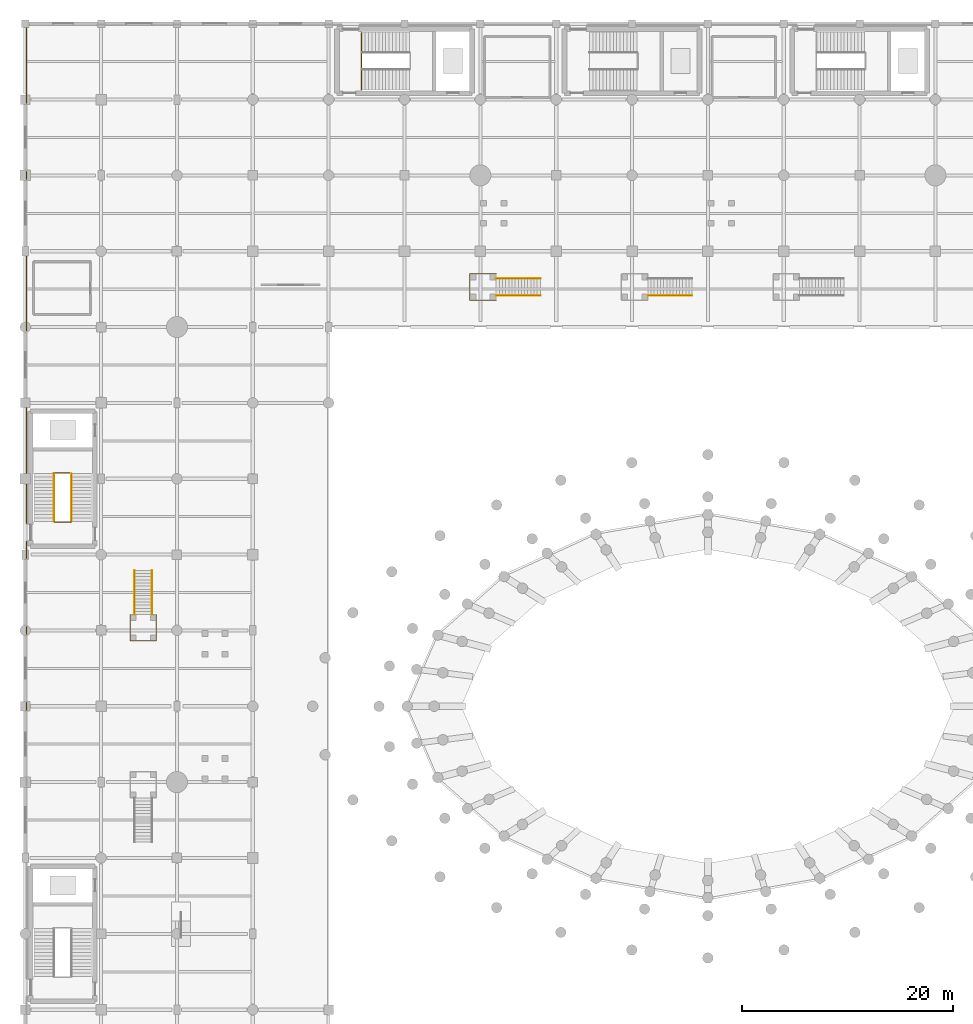
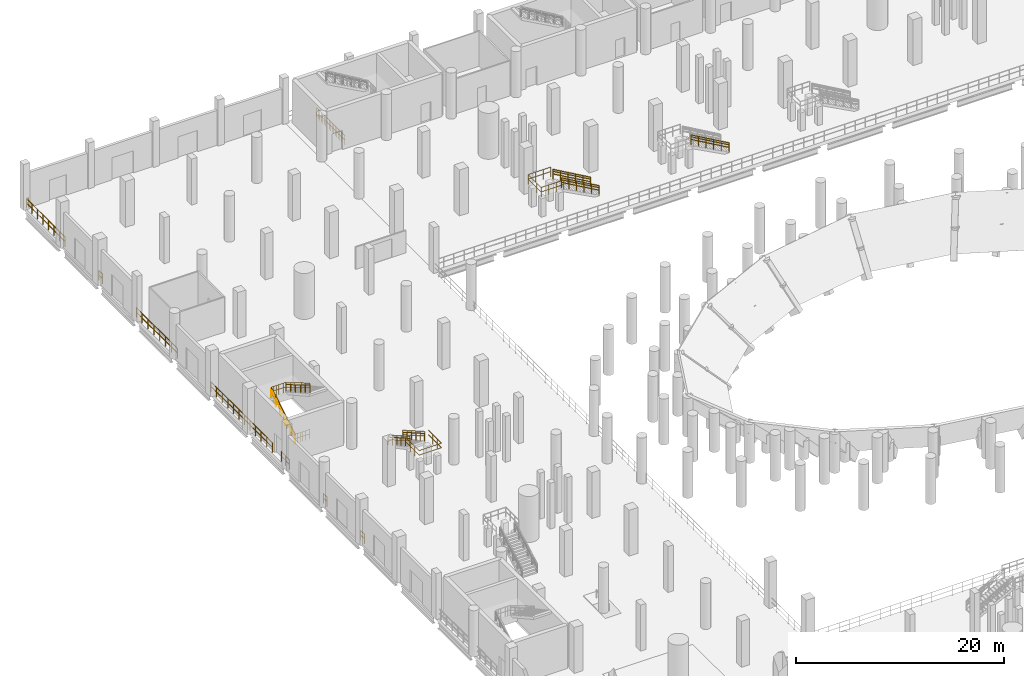
# One storey, part 49 of 58: 26 railings.
"""IFC4 building model written with IfcOpenShell, lengths in metres."""

from ifc_helpers import new_model, si_unit, direction, frame, origin, origin_2d, place, context, subcontext, project, spatial, circle, extrude, material, type_object, element, save


model = new_model("IFC4")

# Units and contexts
model_context = context("Model", 3, precision=1e-05, world=origin(), true_north=direction((0.0, 1.0)))
body_context = subcontext(model_context, "Body", "Model", "MODEL_VIEW")
ifc_project = project(units=[si_unit("LENGTHUNIT", "METRE"), si_unit("AREAUNIT", "SQUARE_METRE"), si_unit("VOLUMEUNIT", "CUBIC_METRE"), si_unit("PLANEANGLEUNIT", "RADIAN"), si_unit("MASSUNIT", "GRAM", prefix="KILO")], contexts=[model_context])

# Site, building, storey
site_placement = place(None, origin())
site = spatial("IfcSite", under=ifc_project, at=site_placement, CompositionType="ELEMENT")
building_placement = place(site_placement, origin())
building = spatial("IfcBuilding", under=site, at=building_placement, Name="Qandorah Velis Arena", CompositionType="ELEMENT")
storey_placement = place(building_placement, origin())
storey = spatial("IfcBuildingStorey", under=building, at=storey_placement, Name="L00", CompositionType="ELEMENT", Elevation=0.0)

# Railings
ifc_material = material(Name="Stainless steel 316", Category="steel")
railing_type_1 = type_object("IfcRailingType", Name="ARC-RL-GRD1150", PredefinedType="GUARDRAIL", material=ifc_material)
railing_1_placement = place(storey_placement, frame((31.909912109375, 123.360107421875, 0.0)))
element("IfcRailing", 1, at=railing_1_placement, inside=storey, type_object=railing_type_1, Name="Stair ST3 landing well-slot guardrail L00", PredefinedType="GUARDRAIL", context=body_context, shape_type="SweptSolid", body=[
    extrude(circle(Radius=0.02392578125, at=origin_2d()), frame((0.0, 0.0, 1.1259765625), z_axis=(0.0, 1.0, 0.0), x_axis=(-1.0, 0.0, 0.0)), (0.0, 0.0, 1.0), 5.3798828125),
    extrude(circle(Radius=0.02392578125, at=origin_2d()), frame((0.0, 0.0, 0.597900390625), z_axis=(0.0, 1.0, 0.0), x_axis=(-1.0, 0.0, 0.0)), (0.0, 0.0, 1.0), 5.3798828125),
    extrude(circle(Radius=0.02099609375, at=origin_2d()), origin(), (0.0, 0.0, 1.0), 1.101806640625),
    extrude(circle(Radius=0.02099609375, at=origin_2d()), frame((0.0, 0.298828125, 0.0)), (0.0, 0.0, 1.0), 1.101806640625),
    extrude(circle(Radius=0.02099609375, at=origin_2d()), frame((0.0, 0.59765625, 0.0)), (0.0, 0.0, 1.0), 1.101806640625),
    extrude(circle(Radius=0.02099609375, at=origin_2d()), frame((0.0, 0.896728515625, 0.0)), (0.0, 0.0, 1.0), 1.101806640625),
    extrude(circle(Radius=0.02099609375, at=origin_2d()), frame((0.0, 1.195556640625, 0.0)), (0.0, 0.0, 1.0), 1.101806640625),
    extrude(circle(Radius=0.02099609375, at=origin_2d()), frame((0.0, 1.494384765625, 0.0)), (0.0, 0.0, 1.0), 1.101806640625),
    extrude(circle(Radius=0.02099609375, at=origin_2d()), frame((0.0, 1.793212890625, 0.0)), (0.0, 0.0, 1.0), 1.101806640625),
    extrude(circle(Radius=0.02099609375, at=origin_2d()), frame((0.0, 2.09228515625, 0.0)), (0.0, 0.0, 1.0), 1.101806640625),
    extrude(circle(Radius=0.02099609375, at=origin_2d()), frame((0.0, 2.39111328125, 0.0)), (0.0, 0.0, 1.0), 1.101806640625),
    extrude(circle(Radius=0.02099609375, at=origin_2d()), frame((0.0, 2.68994140625, 0.0)), (0.0, 0.0, 1.0), 1.101806640625),
    extrude(circle(Radius=0.02099609375, at=origin_2d()), frame((0.0, 2.98876953125, 0.0)), (0.0, 0.0, 1.0), 1.101806640625),
    extrude(circle(Radius=0.02099609375, at=origin_2d()), frame((0.0, 3.28759765625, 0.0)), (0.0, 0.0, 1.0), 1.101806640625),
    extrude(circle(Radius=0.02099609375, at=origin_2d()), frame((0.0, 3.586669921875, 0.0)), (0.0, 0.0, 1.0), 1.101806640625),
    extrude(circle(Radius=0.02099609375, at=origin_2d()), frame((0.0, 3.885498046875, 0.0)), (0.0, 0.0, 1.0), 1.101806640625),
    extrude(circle(Radius=0.02099609375, at=origin_2d()), frame((0.0, 4.184326171875, 0.0)), (0.0, 0.0, 1.0), 1.101806640625),
    extrude(circle(Radius=0.02099609375, at=origin_2d()), frame((0.0, 4.483154296875, 0.0)), (0.0, 0.0, 1.0), 1.101806640625),
    extrude(circle(Radius=0.02099609375, at=origin_2d()), frame((0.0, 4.7822265625, 0.0)), (0.0, 0.0, 1.0), 1.101806640625),
    extrude(circle(Radius=0.02099609375, at=origin_2d()), frame((0.0, 5.0810546875, 0.0)), (0.0, 0.0, 1.0), 1.101806640625),
    extrude(circle(Radius=0.02099609375, at=origin_2d()), frame((0.0, 5.3798828125, 0.0)), (0.0, 0.0, 1.0), 1.101806640625),
])
for number, where, name in (
    (2, (2.739990234375, 82.31005859375, 0.0), "Stair ST6 landing well-slot guardrail L00"),
    (3, (2.739990234375, 86.946044921875, 2.699951171875), "Stair ST6 well guardrail (L00)"),
):
    element("IfcRailing", number, at=place(storey_placement, frame(where)), inside=storey, type_object=railing_type_1, Name=name, PredefinedType="GUARDRAIL", context=body_context, shape_type="SweptSolid", body=[
        extrude(circle(Radius=0.02392578125, at=origin_2d()), frame((0.0, 0.0, 1.1259765625), z_axis=(1.0, 0.0, 0.0), x_axis=(0.0, 1.0, 0.0)), (0.0, 0.0, 1.0), 1.6201171875),
        extrude(circle(Radius=0.02392578125, at=origin_2d()), frame((0.0, 0.0, 0.597900390625), z_axis=(1.0, 0.0, 0.0), x_axis=(0.0, 1.0, 0.0)), (0.0, 0.0, 1.0), 1.6201171875),
        extrude(circle(Radius=0.02099609375, at=origin_2d()), origin(), (0.0, 0.0, 1.0), 1.101806640625),
        extrude(circle(Radius=0.02099609375, at=origin_2d()), frame((0.27001953125, 0.0, 0.0)), (0.0, 0.0, 1.0), 1.101806640625),
        extrude(circle(Radius=0.02099609375, at=origin_2d()), frame((0.5400390625, 0.0, 0.0)), (0.0, 0.0, 1.0), 1.101806640625),
        extrude(circle(Radius=0.02099609375, at=origin_2d()), frame((0.81005859375, 0.0, 0.0)), (0.0, 0.0, 1.0), 1.101806640625),
        extrude(circle(Radius=0.02099609375, at=origin_2d()), frame((1.080078125, 0.0, 0.0)), (0.0, 0.0, 1.0), 1.101806640625),
        extrude(circle(Radius=0.02099609375, at=origin_2d()), frame((1.35009765625, 0.0, 0.0)), (0.0, 0.0, 1.0), 1.101806640625),
        extrude(circle(Radius=0.02099609375, at=origin_2d()), frame((1.6201171875, 0.0, 0.0)), (0.0, 0.0, 1.0), 1.101806640625),
    ])
railing_2_placement = place(storey_placement, frame((2.72998046875, 82.35009765625, 0.0)))
element("IfcRailing", 4, at=railing_2_placement, inside=storey, type_object=railing_type_1, Name="Stair ST6 inner flight 1 guardrail (L00)", PredefinedType="GUARDRAIL", context=body_context, shape_type="SweptSolid", body=[
    extrude(circle(Radius=0.02392578125, at=origin_2d()), frame((0.0, 0.0, 1.1259765625), z_axis=(0.0, 0.859291432417, 0.511486299107), x_axis=(-1.0, 0.0, 0.0)), (0.0, 0.0, 1.0), 5.278564453125),
    extrude(circle(Radius=0.02392578125, at=origin_2d()), frame((0.0, 0.0, 0.597900390625), z_axis=(0.0, 0.859291432417, 0.511486299107), x_axis=(-1.0, 0.0, 0.0)), (0.0, 0.0, 1.0), 5.278564453125),
    extrude(circle(Radius=0.02099609375, at=origin_2d()), origin(), (0.0, 0.0, 1.0), 1.101806640625),
    extrude(circle(Radius=0.02099609375, at=origin_2d()), frame((0.0, 0.755859375, 0.449951171875)), (0.0, 0.0, 1.0), 1.101806640625),
    extrude(circle(Radius=0.02099609375, at=origin_2d()), frame((0.0, 1.511962890625, 0.89990234375)), (0.0, 0.0, 1.0), 1.101806640625),
    extrude(circle(Radius=0.02099609375, at=origin_2d()), frame((0.0, 2.26806640625, 1.35009765625)), (0.0, 0.0, 1.0), 1.101806640625),
    extrude(circle(Radius=0.02099609375, at=origin_2d()), frame((0.0, 3.02392578125, 1.800048828125)), (0.0, 0.0, 1.0), 1.101806640625),
    extrude(circle(Radius=0.02099609375, at=origin_2d()), frame((0.0, 3.77978515625, 2.25)), (0.0, 0.0, 1.0), 1.101806640625),
    extrude(circle(Radius=0.02099609375, at=origin_2d()), frame((0.0, 4.535888671875, 2.699951171875)), (0.0, 0.0, 1.0), 1.101806640625),
])
railing_3_placement = place(storey_placement, frame((4.3701171875, 86.885986328125, 2.699951171875)))
element("IfcRailing", 5, at=railing_3_placement, inside=storey, type_object=railing_type_1, Name="Stair ST6 inner flight 2 guardrail (L00)", PredefinedType="GUARDRAIL", context=body_context, shape_type="SweptSolid", body=[
    extrude(circle(Radius=0.02392578125, at=origin_2d()), frame((0.0, 0.0, 1.1259765625), z_axis=(0.0, -0.859291432417, 0.511486299107), x_axis=(1.0, 0.0, 0.0)), (0.0, 0.0, 1.0), 5.278564453125),
    extrude(circle(Radius=0.02392578125, at=origin_2d()), frame((0.0, 0.0, 0.597900390625), z_axis=(0.0, -0.859291432417, 0.511486299107), x_axis=(1.0, 0.0, 0.0)), (0.0, 0.0, 1.0), 5.278564453125),
    extrude(circle(Radius=0.02099609375, at=origin_2d()), origin(), (0.0, 0.0, 1.0), 1.101806640625),
    extrude(circle(Radius=0.02099609375, at=origin_2d()), frame((0.0, -0.755859375, 0.449951171875)), (0.0, 0.0, 1.0), 1.101806640625),
    extrude(circle(Radius=0.02099609375, at=origin_2d()), frame((0.0, -1.511962890625, 0.89990234375)), (0.0, 0.0, 1.0), 1.101806640625),
    extrude(circle(Radius=0.02099609375, at=origin_2d()), frame((0.0, -2.26806640625, 1.35009765625)), (0.0, 0.0, 1.0), 1.101806640625),
    extrude(circle(Radius=0.02099609375, at=origin_2d()), frame((0.0, -3.02392578125, 1.800048828125)), (0.0, 0.0, 1.0), 1.101806640625),
    extrude(circle(Radius=0.02099609375, at=origin_2d()), frame((0.0, -3.77978515625, 2.25)), (0.0, 0.0, 1.0), 1.101806640625),
    extrude(circle(Radius=0.02099609375, at=origin_2d()), frame((0.0, -4.535888671875, 2.699951171875)), (0.0, 0.0, 1.0), 1.101806640625),
])
for number, where, name in (
    (6, (48.89990234375, 103.780029296875, 0.0), "Vomitory VS4 left guard (L00)"),
    (7, (48.89990234375, 105.419921875, 0.0), "Vomitory VS4 right guard (L00)"),
):
    element("IfcRailing", number, at=place(storey_placement, frame(where)), inside=storey, type_object=railing_type_1, Name=name, PredefinedType="GUARDRAIL", context=body_context, shape_type="SweptSolid", body=[
        extrude(circle(Radius=0.02392578125, at=origin_2d()), frame((0.0, 0.0, 1.1259765625), z_axis=(-0.868249353848, 0.0, 0.496128067682), x_axis=(0.0, -1.0, 0.0)), (0.0, 0.0, 1.0), 4.837158203125),
        extrude(circle(Radius=0.02392578125, at=origin_2d()), frame((0.0, 0.0, 0.597900390625), z_axis=(-0.868249353848, 0.0, 0.496128067682), x_axis=(0.0, -1.0, 0.0)), (0.0, 0.0, 1.0), 4.837158203125),
        extrude(circle(Radius=0.02099609375, at=origin_2d()), origin(), (0.0, 0.0, 1.0), 1.101806640625),
        extrude(circle(Radius=0.02099609375, at=origin_2d()), frame((-0.840087890625, 0.0, 0.47998046875)), (0.0, 0.0, 1.0), 1.101806640625),
        extrude(circle(Radius=0.02099609375, at=origin_2d()), frame((-1.679931640625, 0.0, 0.9599609375)), (0.0, 0.0, 1.0), 1.101806640625),
        extrude(circle(Radius=0.02099609375, at=origin_2d()), frame((-2.52001953125, 0.0, 1.43994140625)), (0.0, 0.0, 1.0), 1.101806640625),
        extrude(circle(Radius=0.02099609375, at=origin_2d()), frame((-3.35986328125, 0.0, 1.919921875)), (0.0, 0.0, 1.0), 1.101806640625),
        extrude(circle(Radius=0.02099609375, at=origin_2d()), frame((-4.199951171875, 0.0, 2.39990234375)), (0.0, 0.0, 1.0), 1.101806640625),
    ])
railing_4_placement = place(storey_placement, frame((44.699951171875, 105.85009765625, 2.39990234375)))
element("IfcRailing", 8, at=railing_4_placement, inside=storey, type_object=railing_type_1, Name="Vomitory VS4 landing guardrail (L00)", PredefinedType="GUARDRAIL", context=body_context, shape_type="SweptSolid", body=[
    extrude(circle(Radius=0.02392578125, at=origin_2d()), frame((0.0, 0.0, 1.1259765625), z_axis=(-1.0, 0.0, 0.0), x_axis=(0.0, -1.0, 0.0)), (0.0, 0.0, 1.0), 2.5),
    extrude(circle(Radius=0.02392578125, at=origin_2d()), frame((0.0, 0.0, 0.597900390625), z_axis=(-1.0, 0.0, 0.0), x_axis=(0.0, -1.0, 0.0)), (0.0, 0.0, 1.0), 2.5),
    extrude(circle(Radius=0.02392578125, at=origin_2d()), frame((-2.5, 0.0, 1.1259765625), z_axis=(0.0, -1.0, 0.0), x_axis=(1.0, 0.0, 0.0)), (0.0, 0.0, 1.0), 2.5),
    extrude(circle(Radius=0.02392578125, at=origin_2d()), frame((-2.5, 0.0, 0.597900390625), z_axis=(0.0, -1.0, 0.0), x_axis=(1.0, 0.0, 0.0)), (0.0, 0.0, 1.0), 2.5),
    extrude(circle(Radius=0.02392578125, at=origin_2d()), frame((-2.5, -2.5, 1.1259765625), z_axis=(1.0, 0.0, 0.0), x_axis=(0.0, 1.0, 0.0)), (0.0, 0.0, 1.0), 2.5),
    extrude(circle(Radius=0.02392578125, at=origin_2d()), frame((-2.5, -2.5, 0.597900390625), z_axis=(1.0, 0.0, 0.0), x_axis=(0.0, 1.0, 0.0)), (0.0, 0.0, 1.0), 2.5),
    extrude(circle(Radius=0.02099609375, at=origin_2d()), origin(), (0.0, 0.0, 1.0), 1.101806640625),
    extrude(circle(Radius=0.02099609375, at=origin_2d()), frame((-0.833251953125, 0.0, 0.0)), (0.0, 0.0, 1.0), 1.101806640625),
    extrude(circle(Radius=0.02099609375, at=origin_2d()), frame((-1.666748046875, 0.0, 0.0)), (0.0, 0.0, 1.0), 1.101806640625),
    extrude(circle(Radius=0.02099609375, at=origin_2d()), frame((-2.5, 0.0, 0.0)), (0.0, 0.0, 1.0), 1.101806640625),
    extrude(circle(Radius=0.02099609375, at=origin_2d()), frame((-2.5, -0.833251953125, 0.0)), (0.0, 0.0, 1.0), 1.101806640625),
    extrude(circle(Radius=0.02099609375, at=origin_2d()), frame((-2.5, -1.666748046875, 0.0)), (0.0, 0.0, 1.0), 1.101806640625),
    extrude(circle(Radius=0.02099609375, at=origin_2d()), frame((-2.5, -2.5, 0.0)), (0.0, 0.0, 1.0), 1.101806640625),
    extrude(circle(Radius=0.02099609375, at=origin_2d()), frame((-1.666748046875, -2.5, 0.0)), (0.0, 0.0, 1.0), 1.101806640625),
    extrude(circle(Radius=0.02099609375, at=origin_2d()), frame((-0.833251953125, -2.5, 0.0)), (0.0, 0.0, 1.0), 1.101806640625),
    extrude(circle(Radius=0.02099609375, at=origin_2d()), frame((0.0, -2.5, 0.0)), (0.0, 0.0, 1.0), 1.101806640625),
])
railing_5_placement = place(storey_placement, frame((63.300048828125, 103.780029296875, 0.0)))
element("IfcRailing", 9, at=railing_5_placement, inside=storey, type_object=railing_type_1, Name="Vomitory VS5 left guard (L00)", PredefinedType="GUARDRAIL", context=body_context, shape_type="SweptSolid", body=[
    extrude(circle(Radius=0.02392578125, at=origin_2d()), frame((0.0, 0.0, 1.1259765625), z_axis=(-0.868249353848, 0.0, 0.496128067682), x_axis=(0.0, -1.0, 0.0)), (0.0, 0.0, 1.0), 4.837158203125),
    extrude(circle(Radius=0.02392578125, at=origin_2d()), frame((0.0, 0.0, 0.597900390625), z_axis=(-0.868249353848, 0.0, 0.496128067682), x_axis=(0.0, -1.0, 0.0)), (0.0, 0.0, 1.0), 4.837158203125),
    extrude(circle(Radius=0.02099609375, at=origin_2d()), origin(), (0.0, 0.0, 1.0), 1.101806640625),
    extrude(circle(Radius=0.02099609375, at=origin_2d()), frame((-0.840087890625, 0.0, 0.47998046875)), (0.0, 0.0, 1.0), 1.101806640625),
    extrude(circle(Radius=0.02099609375, at=origin_2d()), frame((-1.679931640625, 0.0, 0.9599609375)), (0.0, 0.0, 1.0), 1.101806640625),
    extrude(circle(Radius=0.02099609375, at=origin_2d()), frame((-2.52001953125, 0.0, 1.43994140625)), (0.0, 0.0, 1.0), 1.101806640625),
    extrude(circle(Radius=0.02099609375, at=origin_2d()), frame((-3.35986328125, 0.0, 1.919921875)), (0.0, 0.0, 1.0), 1.101806640625),
    extrude(circle(Radius=0.02099609375, at=origin_2d()), frame((-4.199951171875, 0.0, 2.39990234375)), (0.0, 0.0, 1.0), 1.101806640625),
])
for number, where, name in (
    (10, (12.02001953125, 77.699951171875, 0.0), "Vomitory VS8 left guard (L00)"),
    (11, (10.3798828125, 77.699951171875, 0.0), "Vomitory VS8 right guard (L00)"),
):
    element("IfcRailing", number, at=place(storey_placement, frame(where)), inside=storey, type_object=railing_type_1, Name=name, PredefinedType="GUARDRAIL", context=body_context, shape_type="SweptSolid", body=[
        extrude(circle(Radius=0.02392578125, at=origin_2d()), frame((0.0, 0.0, 1.1259765625), z_axis=(0.0, -0.868249353848, 0.496128067682), x_axis=(1.0, 0.0, 0.0)), (0.0, 0.0, 1.0), 4.837158203125),
        extrude(circle(Radius=0.02392578125, at=origin_2d()), frame((0.0, 0.0, 0.597900390625), z_axis=(0.0, -0.868249353848, 0.496128067682), x_axis=(1.0, 0.0, 0.0)), (0.0, 0.0, 1.0), 4.837158203125),
        extrude(circle(Radius=0.02099609375, at=origin_2d()), origin(), (0.0, 0.0, 1.0), 1.101806640625),
        extrude(circle(Radius=0.02099609375, at=origin_2d()), frame((0.0, -0.840087890625, 0.47998046875)), (0.0, 0.0, 1.0), 1.101806640625),
        extrude(circle(Radius=0.02099609375, at=origin_2d()), frame((0.0, -1.679931640625, 0.9599609375)), (0.0, 0.0, 1.0), 1.101806640625),
        extrude(circle(Radius=0.02099609375, at=origin_2d()), frame((0.0, -2.52001953125, 1.43994140625)), (0.0, 0.0, 1.0), 1.101806640625),
        extrude(circle(Radius=0.02099609375, at=origin_2d()), frame((0.0, -3.35986328125, 1.919921875)), (0.0, 0.0, 1.0), 1.101806640625),
        extrude(circle(Radius=0.02099609375, at=origin_2d()), frame((0.0, -4.199951171875, 2.39990234375)), (0.0, 0.0, 1.0), 1.101806640625),
    ])
railing_6_placement = place(storey_placement, frame((12.449951171875, 73.5, 2.39990234375)))
element("IfcRailing", 12, at=railing_6_placement, inside=storey, type_object=railing_type_1, Name="Vomitory VS8 landing guardrail (L00)", PredefinedType="GUARDRAIL", context=body_context, shape_type="SweptSolid", body=[
    extrude(circle(Radius=0.02392578125, at=origin_2d()), frame((0.0, 0.0, 1.1259765625), z_axis=(0.0, -1.0, 0.0), x_axis=(1.0, 0.0, 0.0)), (0.0, 0.0, 1.0), 2.5),
    extrude(circle(Radius=0.02392578125, at=origin_2d()), frame((0.0, 0.0, 0.597900390625), z_axis=(0.0, -1.0, 0.0), x_axis=(1.0, 0.0, 0.0)), (0.0, 0.0, 1.0), 2.5),
    extrude(circle(Radius=0.02392578125, at=origin_2d()), frame((0.0, -2.5, 1.1259765625), z_axis=(-1.0, 0.0, 0.0), x_axis=(0.0, -1.0, 0.0)), (0.0, 0.0, 1.0), 2.5),
    extrude(circle(Radius=0.02392578125, at=origin_2d()), frame((0.0, -2.5, 0.597900390625), z_axis=(-1.0, 0.0, 0.0), x_axis=(0.0, -1.0, 0.0)), (0.0, 0.0, 1.0), 2.5),
    extrude(circle(Radius=0.02392578125, at=origin_2d()), frame((-2.5, -2.5, 1.1259765625), z_axis=(0.0, 1.0, 0.0), x_axis=(-1.0, 0.0, 0.0)), (0.0, 0.0, 1.0), 2.5),
    extrude(circle(Radius=0.02392578125, at=origin_2d()), frame((-2.5, -2.5, 0.597900390625), z_axis=(0.0, 1.0, 0.0), x_axis=(-1.0, 0.0, 0.0)), (0.0, 0.0, 1.0), 2.5),
    extrude(circle(Radius=0.02099609375, at=origin_2d()), origin(), (0.0, 0.0, 1.0), 1.101806640625),
    extrude(circle(Radius=0.02099609375, at=origin_2d()), frame((0.0, -0.833251953125, 0.0)), (0.0, 0.0, 1.0), 1.101806640625),
    extrude(circle(Radius=0.02099609375, at=origin_2d()), frame((0.0, -1.666748046875, 0.0)), (0.0, 0.0, 1.0), 1.101806640625),
    extrude(circle(Radius=0.02099609375, at=origin_2d()), frame((0.0, -2.5, 0.0)), (0.0, 0.0, 1.0), 1.101806640625),
    extrude(circle(Radius=0.02099609375, at=origin_2d()), frame((-0.833251953125, -2.5, 0.0)), (0.0, 0.0, 1.0), 1.101806640625),
    extrude(circle(Radius=0.02099609375, at=origin_2d()), frame((-1.666748046875, -2.5, 0.0)), (0.0, 0.0, 1.0), 1.101806640625),
    extrude(circle(Radius=0.02099609375, at=origin_2d()), frame((-2.5, -2.5, 0.0)), (0.0, 0.0, 1.0), 1.101806640625),
    extrude(circle(Radius=0.02099609375, at=origin_2d()), frame((-2.5, -1.666748046875, 0.0)), (0.0, 0.0, 1.0), 1.101806640625),
    extrude(circle(Radius=0.02099609375, at=origin_2d()), frame((-2.5, -0.833251953125, 0.0)), (0.0, 0.0, 1.0), 1.101806640625),
    extrude(circle(Radius=0.02099609375, at=origin_2d()), frame((-2.5, 0.0, 0.0)), (0.0, 0.0, 1.0), 1.101806640625),
])
railing_7_placement = place(storey_placement, frame((0.10009765625, 64.449951171875, 0.0)))
element("IfcRailing", 13, at=railing_7_placement, inside=storey, type_object=railing_type_1, Name="Slab edge safety guardrail L00-033", PredefinedType="GUARDRAIL", context=body_context, shape_type="SweptSolid", body=[
    extrude(circle(Radius=0.02392578125, at=origin_2d()), frame((0.0, 0.0, 1.1259765625), z_axis=(0.0, 1.0, 0.0), x_axis=(-1.0, 0.0, 0.0)), (0.0, 0.0, 1.0), 0.699951171875),
    extrude(circle(Radius=0.02392578125, at=origin_2d()), frame((0.0, 0.0, 0.597900390625), z_axis=(0.0, 1.0, 0.0), x_axis=(-1.0, 0.0, 0.0)), (0.0, 0.0, 1.0), 0.699951171875),
    extrude(circle(Radius=0.02099609375, at=origin_2d()), origin(), (0.0, 0.0, 1.0), 1.101806640625),
    extrude(circle(Radius=0.02099609375, at=origin_2d()), frame((0.0, 0.699951171875, 0.0)), (0.0, 0.0, 1.0), 1.101806640625),
])
railing_8_placement = place(storey_placement, frame((0.10009765625, 71.64990234375, 0.0)))
element("IfcRailing", 14, at=railing_8_placement, inside=storey, type_object=railing_type_1, Name="Slab edge safety guardrail L00-034", PredefinedType="GUARDRAIL", context=body_context, shape_type="SweptSolid", body=[
    extrude(circle(Radius=0.02392578125, at=origin_2d()), frame((0.0, 0.0, 1.1259765625), z_axis=(0.0, 1.0, 0.0), x_axis=(-1.0, 0.0, 0.0)), (0.0, 0.0, 1.0), 0.7001953125),
    extrude(circle(Radius=0.02392578125, at=origin_2d()), frame((0.0, 0.0, 0.597900390625), z_axis=(0.0, 1.0, 0.0), x_axis=(-1.0, 0.0, 0.0)), (0.0, 0.0, 1.0), 0.7001953125),
    extrude(circle(Radius=0.02099609375, at=origin_2d()), origin(), (0.0, 0.0, 1.0), 1.101806640625),
    extrude(circle(Radius=0.02099609375, at=origin_2d()), frame((0.0, 0.7001953125, 0.0)), (0.0, 0.0, 1.0), 1.101806640625),
])
railing_9_placement = place(storey_placement, frame((0.10009765625, 78.85009765625, 0.0)))
element("IfcRailing", 15, at=railing_9_placement, inside=storey, type_object=railing_type_1, Name="Slab edge safety guardrail L00-035", PredefinedType="GUARDRAIL", context=body_context, shape_type="SweptSolid", body=[
    extrude(circle(Radius=0.02392578125, at=origin_2d()), frame((0.0, 0.0, 1.1259765625), z_axis=(0.0, 1.0, 0.0), x_axis=(-1.0, 0.0, 0.0)), (0.0, 0.0, 1.0), 1.579833984375),
    extrude(circle(Radius=0.02392578125, at=origin_2d()), frame((0.0, 0.0, 0.597900390625), z_axis=(0.0, 1.0, 0.0), x_axis=(-1.0, 0.0, 0.0)), (0.0, 0.0, 1.0), 1.579833984375),
    extrude(circle(Radius=0.02099609375, at=origin_2d()), origin(), (0.0, 0.0, 1.0), 1.101806640625),
    extrude(circle(Radius=0.02099609375, at=origin_2d()), frame((0.0, 0.7900390625, 0.0)), (0.0, 0.0, 1.0), 1.101806640625),
    extrude(circle(Radius=0.02099609375, at=origin_2d()), frame((0.0, 1.579833984375, 0.0)), (0.0, 0.0, 1.0), 1.101806640625),
])
railing_10_placement = place(storey_placement, frame((0.10009765625, 82.169921875, 0.0)))
element("IfcRailing", 16, at=railing_10_placement, inside=storey, type_object=railing_type_1, Name="Slab edge safety guardrail L00-036", PredefinedType="GUARDRAIL", context=body_context, shape_type="SweptSolid", body=[
    extrude(circle(Radius=0.02392578125, at=origin_2d()), frame((0.0, 0.0, 1.1259765625), z_axis=(0.0, 1.0, 0.0), x_axis=(-1.0, 0.0, 0.0)), (0.0, 0.0, 1.0), 11.780029296875),
    extrude(circle(Radius=0.02392578125, at=origin_2d()), frame((0.0, 0.0, 0.597900390625), z_axis=(0.0, 1.0, 0.0), x_axis=(-1.0, 0.0, 0.0)), (0.0, 0.0, 1.0), 11.780029296875),
    extrude(circle(Radius=0.02099609375, at=origin_2d()), origin(), (0.0, 0.0, 1.0), 1.101806640625),
    extrude(circle(Radius=0.02099609375, at=origin_2d()), frame((0.0, 1.07080078125, 0.0)), (0.0, 0.0, 1.0), 1.101806640625),
    extrude(circle(Radius=0.02099609375, at=origin_2d()), frame((0.0, 2.141845703125, 0.0)), (0.0, 0.0, 1.0), 1.101806640625),
    extrude(circle(Radius=0.02099609375, at=origin_2d()), frame((0.0, 3.212646484375, 0.0)), (0.0, 0.0, 1.0), 1.101806640625),
    extrude(circle(Radius=0.02099609375, at=origin_2d()), frame((0.0, 4.28369140625, 0.0)), (0.0, 0.0, 1.0), 1.101806640625),
    extrude(circle(Radius=0.02099609375, at=origin_2d()), frame((0.0, 5.3544921875, 0.0)), (0.0, 0.0, 1.0), 1.101806640625),
    extrude(circle(Radius=0.02099609375, at=origin_2d()), frame((0.0, 6.425537109375, 0.0)), (0.0, 0.0, 1.0), 1.101806640625),
    extrude(circle(Radius=0.02099609375, at=origin_2d()), frame((0.0, 7.496337890625, 0.0)), (0.0, 0.0, 1.0), 1.101806640625),
    extrude(circle(Radius=0.02099609375, at=origin_2d()), frame((0.0, 8.5673828125, 0.0)), (0.0, 0.0, 1.0), 1.101806640625),
    extrude(circle(Radius=0.02099609375, at=origin_2d()), frame((0.0, 9.63818359375, 0.0)), (0.0, 0.0, 1.0), 1.101806640625),
    extrude(circle(Radius=0.02099609375, at=origin_2d()), frame((0.0, 10.709228515625, 0.0)), (0.0, 0.0, 1.0), 1.101806640625),
    extrude(circle(Radius=0.02099609375, at=origin_2d()), frame((0.0, 11.780029296875, 0.0)), (0.0, 0.0, 1.0), 1.101806640625),
])
railing_11_placement = place(storey_placement, frame((0.10009765625, 100.449951171875, 0.0)))
element("IfcRailing", 17, at=railing_11_placement, inside=storey, type_object=railing_type_1, Name="Slab edge safety guardrail L00-037", PredefinedType="GUARDRAIL", context=body_context, shape_type="SweptSolid", body=[
    extrude(circle(Radius=0.02392578125, at=origin_2d()), frame((0.0, 0.0, 1.1259765625), z_axis=(0.0, 1.0, 0.0), x_axis=(-1.0, 0.0, 0.0)), (0.0, 0.0, 1.0), 7.900146484375),
    extrude(circle(Radius=0.02392578125, at=origin_2d()), frame((0.0, 0.0, 0.597900390625), z_axis=(0.0, 1.0, 0.0), x_axis=(-1.0, 0.0, 0.0)), (0.0, 0.0, 1.0), 7.900146484375),
    extrude(circle(Radius=0.02099609375, at=origin_2d()), origin(), (0.0, 0.0, 1.0), 1.101806640625),
    extrude(circle(Radius=0.02099609375, at=origin_2d()), frame((0.0, 1.128662109375, 0.0)), (0.0, 0.0, 1.0), 1.101806640625),
    extrude(circle(Radius=0.02099609375, at=origin_2d()), frame((0.0, 2.257080078125, 0.0)), (0.0, 0.0, 1.0), 1.101806640625),
    extrude(circle(Radius=0.02099609375, at=origin_2d()), frame((0.0, 3.3857421875, 0.0)), (0.0, 0.0, 1.0), 1.101806640625),
    extrude(circle(Radius=0.02099609375, at=origin_2d()), frame((0.0, 4.514404296875, 0.0)), (0.0, 0.0, 1.0), 1.101806640625),
    extrude(circle(Radius=0.02099609375, at=origin_2d()), frame((0.0, 5.64306640625, 0.0)), (0.0, 0.0, 1.0), 1.101806640625),
    extrude(circle(Radius=0.02099609375, at=origin_2d()), frame((0.0, 6.771484375, 0.0)), (0.0, 0.0, 1.0), 1.101806640625),
    extrude(circle(Radius=0.02099609375, at=origin_2d()), frame((0.0, 7.900146484375, 0.0)), (0.0, 0.0, 1.0), 1.101806640625),
])
railing_12_placement = place(storey_placement, frame((0.10009765625, 114.85009765625, 0.0)))
element("IfcRailing", 18, at=railing_12_placement, inside=storey, type_object=railing_type_1, Name="Slab edge safety guardrail L00-038", PredefinedType="GUARDRAIL", context=body_context, shape_type="SweptSolid", body=[
    extrude(circle(Radius=0.02392578125, at=origin_2d()), frame((0.0, 0.0, 1.1259765625), z_axis=(0.0, 1.0, 0.0), x_axis=(-1.0, 0.0, 0.0)), (0.0, 0.0, 1.0), 0.699951171875),
    extrude(circle(Radius=0.02392578125, at=origin_2d()), frame((0.0, 0.0, 0.597900390625), z_axis=(0.0, 1.0, 0.0), x_axis=(-1.0, 0.0, 0.0)), (0.0, 0.0, 1.0), 0.699951171875),
    extrude(circle(Radius=0.02099609375, at=origin_2d()), origin(), (0.0, 0.0, 1.0), 1.101806640625),
    extrude(circle(Radius=0.02099609375, at=origin_2d()), frame((0.0, 0.699951171875, 0.0)), (0.0, 0.0, 1.0), 1.101806640625),
])
railing_13_placement = place(storey_placement, frame((0.10009765625, 122.050048828125, 0.0)))
element("IfcRailing", 19, at=railing_13_placement, inside=storey, type_object=railing_type_1, Name="Slab edge safety guardrail L00-039", PredefinedType="GUARDRAIL", context=body_context, shape_type="SweptSolid", body=[
    extrude(circle(Radius=0.02392578125, at=origin_2d()), frame((0.0, 0.0, 1.1259765625), z_axis=(0.0, 1.0, 0.0), x_axis=(-1.0, 0.0, 0.0)), (0.0, 0.0, 1.0), 7.449951171875),
    extrude(circle(Radius=0.02392578125, at=origin_2d()), frame((0.0, 0.0, 0.597900390625), z_axis=(0.0, 1.0, 0.0), x_axis=(-1.0, 0.0, 0.0)), (0.0, 0.0, 1.0), 7.449951171875),
    extrude(circle(Radius=0.02392578125, at=origin_2d()), frame((0.0, 7.449951171875, 1.1259765625), z_axis=(1.0, 0.0, 0.0), x_axis=(0.0, 1.0, 0.0)), (0.0, 0.0, 1.0), 0.25),
    extrude(circle(Radius=0.02392578125, at=origin_2d()), frame((0.0, 7.449951171875, 0.597900390625), z_axis=(1.0, 0.0, 0.0), x_axis=(0.0, 1.0, 0.0)), (0.0, 0.0, 1.0), 0.25),
    extrude(circle(Radius=0.02099609375, at=origin_2d()), origin(), (0.0, 0.0, 1.0), 1.101806640625),
    extrude(circle(Radius=0.02099609375, at=origin_2d()), frame((0.0, 1.064208984375, 0.0)), (0.0, 0.0, 1.0), 1.101806640625),
    extrude(circle(Radius=0.02099609375, at=origin_2d()), frame((0.0, 2.128662109375, 0.0)), (0.0, 0.0, 1.0), 1.101806640625),
    extrude(circle(Radius=0.02099609375, at=origin_2d()), frame((0.0, 3.19287109375, 0.0)), (0.0, 0.0, 1.0), 1.101806640625),
    extrude(circle(Radius=0.02099609375, at=origin_2d()), frame((0.0, 4.257080078125, 0.0)), (0.0, 0.0, 1.0), 1.101806640625),
    extrude(circle(Radius=0.02099609375, at=origin_2d()), frame((0.0, 5.3212890625, 0.0)), (0.0, 0.0, 1.0), 1.101806640625),
    extrude(circle(Radius=0.02099609375, at=origin_2d()), frame((0.0, 6.3857421875, 0.0)), (0.0, 0.0, 1.0), 1.101806640625),
    extrude(circle(Radius=0.02099609375, at=origin_2d()), frame((0.0, 7.449951171875, 0.0)), (0.0, 0.0, 1.0), 1.101806640625),
    extrude(circle(Radius=0.02099609375, at=origin_2d()), frame((0.25, 7.449951171875, 0.0)), (0.0, 0.0, 1.0), 1.101806640625),
])
railing_type_2 = type_object("IfcRailingType", Name="ARC-RL-HND920", PredefinedType="HANDRAIL", material=ifc_material)
railing_14_placement = place(storey_placement, frame((2.72998046875, 82.35009765625, 0.0)))
element("IfcRailing", 20, at=railing_14_placement, inside=storey, type_object=railing_type_2, Name="Stair ST6 inner handrail 1 (L00)", PredefinedType="HANDRAIL", context=body_context, shape_type="SweptSolid", body=[
    extrude(circle(Radius=0.02392578125, at=origin_2d()), frame((0.0, 0.0, 0.89599609375), z_axis=(0.0, 0.859291432417, 0.511486299107), x_axis=(-1.0, 0.0, 0.0)), (0.0, 0.0, 1.0), 5.278564453125),
    extrude(circle(Radius=0.02099609375, at=origin_2d()), origin(), (0.0, 0.0, 1.0), 0.871826171875),
    extrude(circle(Radius=0.02099609375, at=origin_2d()), frame((0.0, 0.9072265625, 0.5400390625)), (0.0, 0.0, 1.0), 0.871826171875),
    extrude(circle(Radius=0.02099609375, at=origin_2d()), frame((0.0, 1.814453125, 1.080078125)), (0.0, 0.0, 1.0), 0.871826171875),
    extrude(circle(Radius=0.02099609375, at=origin_2d()), frame((0.0, 2.721435546875, 1.619873046875)), (0.0, 0.0, 1.0), 0.871826171875),
    extrude(circle(Radius=0.02099609375, at=origin_2d()), frame((0.0, 3.628662109375, 2.159912109375)), (0.0, 0.0, 1.0), 0.871826171875),
    extrude(circle(Radius=0.02099609375, at=origin_2d()), frame((0.0, 4.535888671875, 2.699951171875)), (0.0, 0.0, 1.0), 0.871826171875),
])
railing_15_placement = place(storey_placement, frame((4.3701171875, 86.885986328125, 2.699951171875)))
element("IfcRailing", 21, at=railing_15_placement, inside=storey, type_object=railing_type_2, Name="Stair ST6 inner handrail 2 (L00)", PredefinedType="HANDRAIL", context=body_context, shape_type="SweptSolid", body=[
    extrude(circle(Radius=0.02392578125, at=origin_2d()), frame((0.0, 0.0, 0.89599609375), z_axis=(0.0, -0.859291432417, 0.511486299107), x_axis=(1.0, 0.0, 0.0)), (0.0, 0.0, 1.0), 5.278564453125),
    extrude(circle(Radius=0.02099609375, at=origin_2d()), origin(), (0.0, 0.0, 1.0), 0.871826171875),
    extrude(circle(Radius=0.02099609375, at=origin_2d()), frame((0.0, -0.9072265625, 0.5400390625)), (0.0, 0.0, 1.0), 0.871826171875),
    extrude(circle(Radius=0.02099609375, at=origin_2d()), frame((0.0, -1.814453125, 1.080078125)), (0.0, 0.0, 1.0), 0.871826171875),
    extrude(circle(Radius=0.02099609375, at=origin_2d()), frame((0.0, -2.721435546875, 1.619873046875)), (0.0, 0.0, 1.0), 0.871826171875),
    extrude(circle(Radius=0.02099609375, at=origin_2d()), frame((0.0, -3.628662109375, 2.159912109375)), (0.0, 0.0, 1.0), 0.871826171875),
    extrude(circle(Radius=0.02099609375, at=origin_2d()), frame((0.0, -4.535888671875, 2.699951171875)), (0.0, 0.0, 1.0), 0.871826171875),
])
for number, where, name in (
    (22, (48.89990234375, 103.780029296875, 0.0), "Vomitory VS4 left handrail"),
    (23, (48.89990234375, 105.419921875, 0.0), "Vomitory VS4 right handrail"),
    (24, (63.300048828125, 103.780029296875, 0.0), "Vomitory VS5 left handrail"),
):
    element("IfcRailing", number, at=place(storey_placement, frame(where)), inside=storey, type_object=railing_type_2, Name=name, PredefinedType="HANDRAIL", context=body_context, shape_type="SweptSolid", body=[
        extrude(circle(Radius=0.02392578125, at=origin_2d()), frame((0.0, 0.0, 0.89599609375), z_axis=(-0.868249353848, 0.0, 0.496128067682), x_axis=(0.0, -1.0, 0.0)), (0.0, 0.0, 1.0), 4.837158203125),
        extrude(circle(Radius=0.02099609375, at=origin_2d()), origin(), (0.0, 0.0, 1.0), 0.871826171875),
        extrude(circle(Radius=0.02099609375, at=origin_2d()), frame((-0.840087890625, 0.0, 0.47998046875)), (0.0, 0.0, 1.0), 0.871826171875),
        extrude(circle(Radius=0.02099609375, at=origin_2d()), frame((-1.679931640625, 0.0, 0.9599609375)), (0.0, 0.0, 1.0), 0.871826171875),
        extrude(circle(Radius=0.02099609375, at=origin_2d()), frame((-2.52001953125, 0.0, 1.43994140625)), (0.0, 0.0, 1.0), 0.871826171875),
        extrude(circle(Radius=0.02099609375, at=origin_2d()), frame((-3.35986328125, 0.0, 1.919921875)), (0.0, 0.0, 1.0), 0.871826171875),
        extrude(circle(Radius=0.02099609375, at=origin_2d()), frame((-4.199951171875, 0.0, 2.39990234375)), (0.0, 0.0, 1.0), 0.871826171875),
    ])
for number, where, name in (
    (25, (12.02001953125, 77.699951171875, 0.0), "Vomitory VS8 left handrail"),
    (26, (10.3798828125, 77.699951171875, 0.0), "Vomitory VS8 right handrail"),
):
    element("IfcRailing", number, at=place(storey_placement, frame(where)), inside=storey, type_object=railing_type_2, Name=name, PredefinedType="HANDRAIL", context=body_context, shape_type="SweptSolid", body=[
        extrude(circle(Radius=0.02392578125, at=origin_2d()), frame((0.0, 0.0, 0.89599609375), z_axis=(0.0, -0.868249353848, 0.496128067682), x_axis=(1.0, 0.0, 0.0)), (0.0, 0.0, 1.0), 4.837158203125),
        extrude(circle(Radius=0.02099609375, at=origin_2d()), origin(), (0.0, 0.0, 1.0), 0.871826171875),
        extrude(circle(Radius=0.02099609375, at=origin_2d()), frame((0.0, -0.840087890625, 0.47998046875)), (0.0, 0.0, 1.0), 0.871826171875),
        extrude(circle(Radius=0.02099609375, at=origin_2d()), frame((0.0, -1.679931640625, 0.9599609375)), (0.0, 0.0, 1.0), 0.871826171875),
        extrude(circle(Radius=0.02099609375, at=origin_2d()), frame((0.0, -2.52001953125, 1.43994140625)), (0.0, 0.0, 1.0), 0.871826171875),
        extrude(circle(Radius=0.02099609375, at=origin_2d()), frame((0.0, -3.35986328125, 1.919921875)), (0.0, 0.0, 1.0), 0.871826171875),
        extrude(circle(Radius=0.02099609375, at=origin_2d()), frame((0.0, -4.199951171875, 2.39990234375)), (0.0, 0.0, 1.0), 0.871826171875),
    ])

save(model, "model.ifc")
